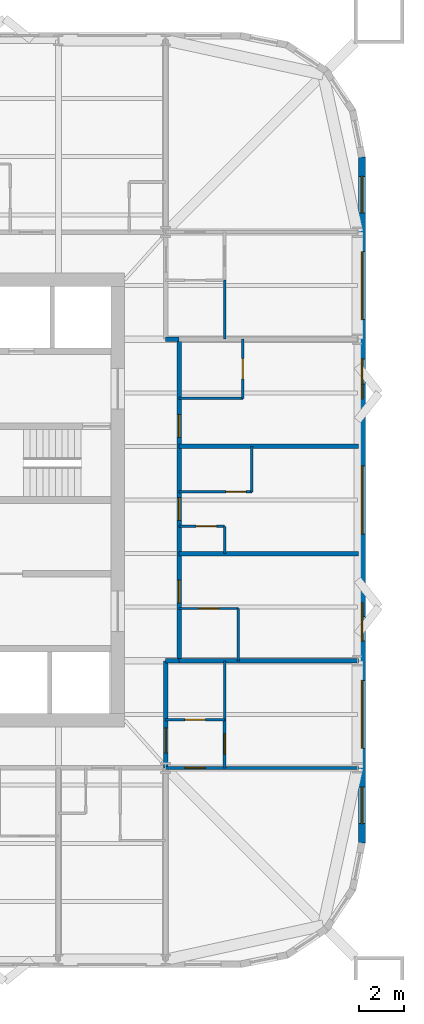
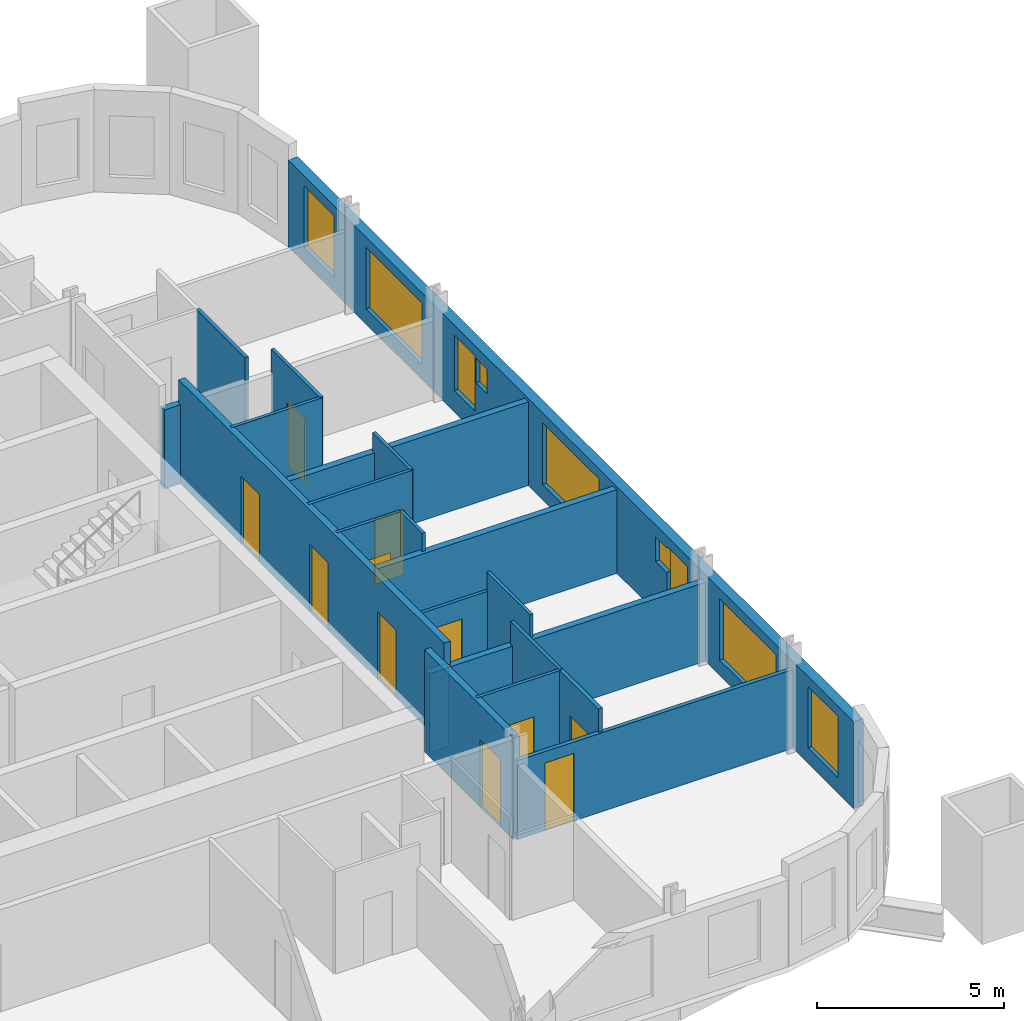
# One storey, part 6 of 9: 21 walls, 11 doors, 9 windows, 20 openings.
"""IFC4 building model written with IfcOpenShell, lengths in metres."""

from ifc_helpers import new_model, si_unit, direction, frame, frame_2d, origin, place, context, subcontext, project, spatial, rectangle, extrude, material, layer, layer_set, type_object, element, fill, save


model = new_model("IFC4")

# Units and contexts
model_context = context("Model", 3, precision=1e-05, world=origin(), true_north=direction((0.0, 1.0)))
body_context = subcontext(model_context, "Body", "Model", "MODEL_VIEW")
ifc_project = project(units=[si_unit("LENGTHUNIT", "METRE"), si_unit("AREAUNIT", "SQUARE_METRE"), si_unit("VOLUMEUNIT", "CUBIC_METRE"), si_unit("PLANEANGLEUNIT", "RADIAN"), si_unit("MASSUNIT", "GRAM", prefix="KILO")], contexts=[model_context])

# Site, building, storey
site_placement = place(None, origin())
site = spatial("IfcSite", under=ifc_project, at=site_placement, CompositionType="ELEMENT")
building_placement = place(site_placement, origin())
building = spatial("IfcBuilding", under=site, at=building_placement, Name="Turquesa Mirador Hotel Tower", CompositionType="ELEMENT")
storey_placement = place(building_placement, frame((0.0, 0.0, 117.89990234375)))
storey = spatial("IfcBuildingStorey", under=building, at=storey_placement, Name="L31", CompositionType="ELEMENT", Elevation=117.89990234375)

# Wall, opening, door
ifc_material_1 = material(Name="Gypsum board on steel studs", Category="steel")
ifc_layer_1 = layer(ifc_material_1, 0.10009765625)
ifc_layer_set_1 = layer_set([ifc_layer_1], Name="BATHROOM WALL 100")
wall_type_1 = type_object("IfcWallType", Name="BATHROOM WALL 100", PredefinedType="PARTITIONING", material=ifc_layer_set_1)
wall_1_placement = place(storey_placement, frame((67.39990234375, 43.840087890625, 0.0), z_axis=(0.0, 0.0, 1.0), x_axis=(1.0, 0.0, 0.0)))
wall_1 = element("IfcWall", 1, at=wall_1_placement, inside=storey, type_object=wall_type_1, Name="Partition L31 001", PredefinedType="PARTITIONING", context=body_context, shape_type="SweptSolid", body=[
    extrude(rectangle(XDim=2.0, YDim=0.10009765625, at=frame_2d((1.0, 0.0))), origin(), (0.0, 0.0, 1.0), 3.330078125),
])
opening_1_placement = place(wall_1_placement, frame((0.75, 0.0, 0.0)))
opening_1 = element("IfcOpeningElement", 2, at=opening_1_placement, cuts=wall_1, Name="Opening D06", PredefinedType="OPENING", context=body_context, shape_type="SweptSolid", body=[
    extrude(rectangle(XDim=0.89990234375, YDim=2.10009765625, at=frame_2d((0.449951171875, 1.050048828125))), frame((0.0, 0.06005859375, 0.0), z_axis=(0.0, -1.0, 0.0), x_axis=(1.0, 0.0, 0.0)), (0.0, 0.0, 1.0), 0.1201171875),
])
ifc_material_2 = material(Name="Laminate door", Category="wood")
door_type_1 = type_object("IfcDoorType", Name="DOOR 900X2100 WC", OperationType="SINGLE_SWING_LEFT", PredefinedType="DOOR", material=ifc_material_2)
door_1_placement = place(opening_1_placement, origin())
door_1 = element("IfcDoor", 3, at=door_1_placement, inside=storey, type_object=door_type_1, Name="Door 3109W", OperationType="SINGLE_SWING_LEFT", OverallHeight=2.10009765625, OverallWidth=0.89990234375, PredefinedType="DOOR", context=body_context, shape_type="SweptSolid", body=[
    extrude(rectangle(XDim=0.89990234375, YDim=2.10009765625, at=frame_2d((0.449951171875, 1.050048828125))), frame((0.0, 0.02490234375, 0.0), z_axis=(0.0, -1.0, 0.0), x_axis=(1.0, 0.0, 0.0)), (0.0, 0.0, 1.0), 0.050048828125),
])
fill(opening_1, door_1)

wall_2_placement = place(storey_placement, frame((67.39990234375, 40.219970703125, 0.0), z_axis=(0.0, 0.0, 1.0), x_axis=(1.0, 0.0, 0.0)))
wall_2 = element("IfcWall", 4, at=wall_2_placement, inside=storey, type_object=wall_type_1, Name="Partition L31 012", PredefinedType="PARTITIONING", context=body_context, shape_type="SweptSolid", body=[
    extrude(rectangle(XDim=2.60009765625, YDim=0.10009765625, at=frame_2d((1.300048828125, 0.0))), origin(), (0.0, 0.0, 1.0), 2.730712890625),
])
opening_2_placement = place(wall_2_placement, frame((0.85009765625, 0.0, 0.0)))
opening_2 = element("IfcOpeningElement", 5, at=opening_2_placement, cuts=wall_2, Name="Opening D02", PredefinedType="OPENING", context=body_context, shape_type="SweptSolid", body=[
    extrude(rectangle(XDim=0.89990234375, YDim=2.10009765625, at=frame_2d((0.449951171875, 1.050048828125))), frame((0.0, 0.06005859375, 0.0), z_axis=(0.0, -1.0, 0.0), x_axis=(1.0, 0.0, 0.0)), (0.0, 0.0, 1.0), 0.1201171875),
])
ifc_material_3 = material(Name="Timber veneered door", Category="wood")
door_type_2 = type_object("IfcDoorType", Name="DOOR 900X2100 EN-SUITE", OperationType="SINGLE_SWING_RIGHT", PredefinedType="DOOR", material=ifc_material_3)
door_2_placement = place(opening_2_placement, origin())
door_2 = element("IfcDoor", 6, at=door_2_placement, inside=storey, type_object=door_type_2, Name="Door 3108B", OperationType="SINGLE_SWING_RIGHT", OverallHeight=2.10009765625, OverallWidth=0.89990234375, PredefinedType="DOOR", context=body_context, shape_type="SweptSolid", body=[
    extrude(rectangle(XDim=0.89990234375, YDim=2.10009765625, at=frame_2d((0.449951171875, 1.050048828125))), frame((0.0, 0.02490234375, 0.0), z_axis=(0.0, -1.0, 0.0), x_axis=(1.0, 0.0, 0.0)), (0.0, 0.0, 1.0), 0.050048828125),
])
fill(opening_2, door_2)

wall_3_placement = place(storey_placement, frame((66.800048828125, 35.320068359375, 0.0), z_axis=(0.0, 0.0, 1.0), x_axis=(1.0, 0.0, 0.0)))
wall_3 = element("IfcWall", 7, at=wall_3_placement, inside=storey, type_object=wall_type_1, Name="Partition L31 018", PredefinedType="PARTITIONING", context=body_context, shape_type="SweptSolid", body=[
    extrude(rectangle(XDim=2.599853515625, YDim=0.10009765625, at=frame_2d((1.2998046875, 0.0))), origin(), (0.0, 0.0, 1.0), 3.330078125),
])
opening_3_placement = place(wall_3_placement, frame((0.85009765625, 0.0, 0.0)))
opening_3 = element("IfcOpeningElement", 8, at=opening_3_placement, cuts=wall_3, Name="Opening D02", PredefinedType="OPENING", context=body_context, shape_type="SweptSolid", body=[
    extrude(rectangle(XDim=0.89990234375, YDim=2.10009765625, at=frame_2d((0.449951171875, 1.050048828125))), frame((0.0, 0.06005859375, 0.0), z_axis=(0.0, -1.0, 0.0), x_axis=(1.0, 0.0, 0.0)), (0.0, 0.0, 1.0), 0.1201171875),
])
door_3_placement = place(opening_3_placement, origin())
door_3 = element("IfcDoor", 9, at=door_3_placement, inside=storey, type_object=door_type_2, Name="Door 3116B", OperationType="SINGLE_SWING_RIGHT", OverallHeight=2.10009765625, OverallWidth=0.89990234375, PredefinedType="DOOR", context=body_context, shape_type="SweptSolid", body=[
    extrude(rectangle(XDim=0.89990234375, YDim=2.10009765625, at=frame_2d((0.449951171875, 1.050048828125))), frame((0.0, 0.02490234375, 0.0), z_axis=(0.0, -1.0, 0.0), x_axis=(1.0, 0.0, 0.0)), (0.0, 0.0, 1.0), 0.050048828125),
])
fill(opening_3, door_3)

wall_4_placement = place(storey_placement, frame((67.39990234375, 45.360107421875, 0.0), z_axis=(0.0, 0.0, 1.0), x_axis=(1.0, 0.0, 0.0)))
wall_4 = element("IfcWall", 10, at=wall_4_placement, inside=storey, type_object=wall_type_1, Name="Partition L31 019", PredefinedType="PARTITIONING", context=body_context, shape_type="SweptSolid", body=[
    extrude(rectangle(XDim=3.2001953125, YDim=0.10009765625, at=frame_2d((1.60009765625, 0.0))), origin(), (0.0, 0.0, 1.0), 3.330078125),
])
opening_4_placement = place(wall_4_placement, frame((2.050048828125, 0.0, 0.0)))
opening_4 = element("IfcOpeningElement", 11, at=opening_4_placement, cuts=wall_4, Name="Opening D02", PredefinedType="OPENING", context=body_context, shape_type="SweptSolid", body=[
    extrude(rectangle(XDim=0.89990234375, YDim=2.10009765625, at=frame_2d((0.449951171875, 1.050048828125))), frame((0.0, 0.06005859375, 0.0), z_axis=(0.0, -1.0, 0.0), x_axis=(1.0, 0.0, 0.0)), (0.0, 0.0, 1.0), 0.1201171875),
])
door_4_placement = place(opening_4_placement, origin())
door_4 = element("IfcDoor", 12, at=door_4_placement, inside=storey, type_object=door_type_2, Name="Door 3109B", OperationType="SINGLE_SWING_RIGHT", OverallHeight=2.10009765625, OverallWidth=0.89990234375, PredefinedType="DOOR", context=body_context, shape_type="SweptSolid", body=[
    extrude(rectangle(XDim=0.89990234375, YDim=2.10009765625, at=frame_2d((0.449951171875, 1.050048828125))), frame((0.0, 0.02490234375, 0.0), z_axis=(0.0, -1.0, 0.0), x_axis=(1.0, 0.0, 0.0)), (0.0, 0.0, 1.0), 0.050048828125),
])
fill(opening_4, door_4)

# Walls
wall_5_placement = place(storey_placement, frame((67.39990234375, 49.47998046875, 0.0), z_axis=(0.0, 0.0, 1.0), x_axis=(1.0, 0.0, 0.0)))
element("IfcWall", 13, at=wall_5_placement, inside=storey, type_object=wall_type_1, Name="Partition L31 033", PredefinedType="PARTITIONING", context=body_context, shape_type="SweptSolid", body=[
    extrude(rectangle(XDim=2.800048828125, YDim=0.10009765625, at=frame_2d((1.39990234375, 0.0))), origin(), (0.0, 0.0, 1.0), 3.330078125),
])
wall_6_placement = place(storey_placement, frame((69.39990234375, 35.320068359375, 0.0), z_axis=(0.0, 0.0, 1.0), x_axis=(0.0, 1.0, 0.0)))
element("IfcWall", 14, at=wall_6_placement, inside=storey, type_object=wall_type_1, Name="Partition L31 070", PredefinedType="PARTITIONING", context=body_context, shape_type="SweptSolid", body=[
    extrude(rectangle(XDim=2.599853515625, YDim=0.10009765625, at=frame_2d((1.2998046875, 0.0))), origin(), (0.0, 0.0, 1.0), 3.330078125),
])
wall_7_placement = place(storey_placement, frame((69.39990234375, 42.639892578125, 0.0), z_axis=(0.0, 0.0, 1.0), x_axis=(0.0, 1.0, 0.0)))
element("IfcWall", 15, at=wall_7_placement, inside=storey, type_object=wall_type_1, Name="Partition L31 071", PredefinedType="PARTITIONING", context=body_context, shape_type="SweptSolid", body=[
    extrude(rectangle(XDim=1.2001953125, YDim=0.10009765625, at=frame_2d((0.60009765625, 0.0))), origin(), (0.0, 0.0, 1.0), 3.330078125),
])
wall_8_placement = place(storey_placement, frame((69.39990234375, 52.080078125, 0.0), z_axis=(0.0, 0.0, 1.0), x_axis=(0.0, 1.0, 0.0)))
element("IfcWall", 16, at=wall_8_placement, inside=storey, type_object=wall_type_1, Name="Partition L31 072", PredefinedType="PARTITIONING", context=body_context, shape_type="SweptSolid", body=[
    extrude(rectangle(XDim=2.599853515625, YDim=0.10009765625, at=frame_2d((1.2998046875, 0.0))), origin(), (0.0, 0.0, 1.0), 3.330078125),
])
wall_9_placement = place(storey_placement, frame((70.0, 37.919921875, 0.0), z_axis=(0.0, 0.0, 1.0), x_axis=(0.0, 1.0, 0.0)))
element("IfcWall", 17, at=wall_9_placement, inside=storey, type_object=wall_type_1, Name="Partition L31 075", PredefinedType="PARTITIONING", context=body_context, shape_type="SweptSolid", body=[
    extrude(rectangle(XDim=2.300048828125, YDim=0.10009765625, at=frame_2d((1.14990234375, 0.0))), origin(), (0.0, 0.0, 1.0), 3.330078125),
])

# Wall, opening, door
wall_10_placement = place(storey_placement, frame((70.199951171875, 49.47998046875, 0.0), z_axis=(0.0, 0.0, 1.0), x_axis=(0.0, 1.0, 0.0)))
wall_10 = element("IfcWall", 18, at=wall_10_placement, inside=storey, type_object=wall_type_1, Name="Partition L31 076", PredefinedType="PARTITIONING", context=body_context, shape_type="SweptSolid", body=[
    extrude(rectangle(XDim=2.60009765625, YDim=0.10009765625, at=frame_2d((1.300048828125, 0.0))), origin(), (0.0, 0.0, 1.0), 3.330078125),
])
opening_5_placement = place(wall_10_placement, frame((0.85009765625, 0.0, 0.0)))
opening_5 = element("IfcOpeningElement", 19, at=opening_5_placement, cuts=wall_10, Name="Opening D02", PredefinedType="OPENING", context=body_context, shape_type="SweptSolid", body=[
    extrude(rectangle(XDim=0.89990234375, YDim=2.10009765625, at=frame_2d((0.449951171875, 1.050048828125))), frame((0.0, 0.06005859375, 0.0), z_axis=(0.0, -1.0, 0.0), x_axis=(1.0, 0.0, 0.0)), (0.0, 0.0, 1.0), 0.1201171875),
])
door_5_placement = place(opening_5_placement, origin())
door_5 = element("IfcDoor", 20, at=door_5_placement, inside=storey, type_object=door_type_2, Name="Door 3110B", OperationType="SINGLE_SWING_RIGHT", OverallHeight=2.10009765625, OverallWidth=0.89990234375, PredefinedType="DOOR", context=body_context, shape_type="SweptSolid", body=[
    extrude(rectangle(XDim=0.89990234375, YDim=2.10009765625, at=frame_2d((0.449951171875, 1.050048828125))), frame((0.0, 0.02490234375, 0.0), z_axis=(0.0, -1.0, 0.0), x_axis=(1.0, 0.0, 0.0)), (0.0, 0.0, 1.0), 0.050048828125),
])
fill(opening_5, door_5)

# Walls
wall_11_placement = place(storey_placement, frame((70.60009765625, 45.360107421875, 0.0), z_axis=(0.0, 0.0, 1.0), x_axis=(0.0, 1.0, 0.0)))
element("IfcWall", 21, at=wall_11_placement, inside=storey, type_object=wall_type_1, Name="Partition L31 077", PredefinedType="PARTITIONING", context=body_context, shape_type="SweptSolid", body=[
    extrude(rectangle(XDim=2.0, YDim=0.10009765625, at=frame_2d((1.0, 0.0))), origin(), (0.0, 0.0, 1.0), 3.330078125),
])
ifc_material_4 = material(Name="Fire-rated gypsum board on steel studs", Category="steel")
ifc_layer_2 = layer(ifc_material_4, 0.199951171875)
ifc_layer_set_2 = layer_set([ifc_layer_2], Name="CORRIDOR WALL 200")
wall_type_2 = type_object("IfcWallType", Name="CORRIDOR WALL 200", PredefinedType="PARTITIONING", material=ifc_layer_set_2)
for number, where, z_axis, x_axis, name in (
    (22, (66.800048828125, 37.919921875, 0.0), (0.0, 0.0, 1.0), (1.0, 0.0, 0.0), "Partition L31 014"),
    (23, (66.800048828125, 52.080078125, 0.0), (0.0, 0.0, 1.0), (1.0, 0.0, 0.0), "Partition L31 036"),
):
    element("IfcWall", number, at=place(storey_placement, frame(where, z_axis=z_axis, x_axis=x_axis)), inside=storey, type_object=wall_type_2, Name=name, PredefinedType="PARTITIONING", context=body_context, shape_type="SweptSolid", body=[
        extrude(rectangle(XDim=0.599853515625, YDim=0.199951171875, at=frame_2d((0.2998046875, 0.0))), origin(), (0.0, 0.0, 1.0), 2.5732421875),
    ])

# Wall, opening, door
wall_12_placement = place(storey_placement, frame((66.800048828125, 33.199951171875, 0.0), z_axis=(0.0, 0.0, 1.0), x_axis=(0.0, 1.0, 0.0)))
wall_12 = element("IfcWall", 24, at=wall_12_placement, inside=storey, type_object=wall_type_2, Name="Partition L31 065", PredefinedType="PARTITIONING", context=body_context, shape_type="SweptSolid", body=[
    extrude(rectangle(XDim=4.719970703125, YDim=0.199951171875, at=frame_2d((2.35986328125, 0.0))), origin(), (0.0, 0.0, 1.0), 3.330078125),
])
opening_6_placement = place(wall_12_placement, frame((0.659912109375, 0.0, 0.0)))
opening_6 = element("IfcOpeningElement", 25, at=opening_6_placement, cuts=wall_12, Name="Opening D15", PredefinedType="OPENING", context=body_context, shape_type="SweptSolid", body=[
    extrude(rectangle(XDim=1.10009765625, YDim=2.199951171875, at=frame_2d((0.550048828125, 1.10009765625))), frame((0.0, 0.10986328125, 0.0), z_axis=(0.0, -1.0, 0.0), x_axis=(1.0, 0.0, 0.0)), (0.0, 0.0, 1.0), 0.219970703125),
])
ifc_material_5 = material(Name="Timber veneered fire door", Category="wood")
door_type_3 = type_object("IfcDoorType", Name="DOOR 1100X2200 SUITE ENTRY", OperationType="SINGLE_SWING_LEFT", PredefinedType="DOOR", material=ifc_material_5)
door_6_placement = place(opening_6_placement, origin())
door_6 = element("IfcDoor", 26, at=door_6_placement, inside=storey, type_object=door_type_3, Name="Door 3116H", OperationType="SINGLE_SWING_LEFT", OverallHeight=2.199951171875, OverallWidth=1.10009765625, PredefinedType="DOOR", context=body_context, shape_type="SweptSolid", body=[
    extrude(rectangle(XDim=1.10009765625, YDim=2.199951171875, at=frame_2d((0.550048828125, 1.10009765625))), frame((0.0, 0.02490234375, 0.0), z_axis=(0.0, -1.0, 0.0), x_axis=(1.0, 0.0, 0.0)), (0.0, 0.0, 1.0), 0.050048828125),
])
fill(opening_6, door_6)

# Wall, openings, doors
wall_13_placement = place(storey_placement, frame((67.39990234375, 37.919921875, 0.0), z_axis=(0.0, 0.0, 1.0), x_axis=(0.0, 1.0, 0.0)))
wall_13 = element("IfcWall", 27, at=wall_13_placement, inside=storey, type_object=wall_type_2, Name="Partition L31 069", PredefinedType="PARTITIONING", context=body_context, shape_type="SweptSolid", body=[
    extrude(rectangle(XDim=14.16015625, YDim=0.199951171875, at=frame_2d((7.080078125, 0.0))), origin(), (0.0, 0.0, 1.0), 3.330078125),
])
opening_7_placement = place(wall_13_placement, frame((2.550048828125, 0.0, 0.0)))
opening_7 = element("IfcOpeningElement", 28, at=opening_7_placement, cuts=wall_13, Name="Opening D01", PredefinedType="OPENING", context=body_context, shape_type="SweptSolid", body=[
    extrude(rectangle(XDim=1.0, YDim=2.199951171875, at=frame_2d((0.5, 1.10009765625))), frame((0.0, 0.10986328125, 0.0), z_axis=(0.0, -1.0, 0.0), x_axis=(1.0, 0.0, 0.0)), (0.0, 0.0, 1.0), 0.219970703125),
])
opening_8_placement = place(wall_13_placement, frame((6.179931640625, 0.0, 0.0)))
opening_8 = element("IfcOpeningElement", 29, at=opening_8_placement, cuts=wall_13, Name="Opening D01", PredefinedType="OPENING", context=body_context, shape_type="SweptSolid", body=[
    extrude(rectangle(XDim=1.0, YDim=2.199951171875, at=frame_2d((0.5, 1.10009765625))), frame((0.0, 0.10986328125, 0.0), z_axis=(0.0, -1.0, 0.0), x_axis=(1.0, 0.0, 0.0)), (0.0, 0.0, 1.0), 0.219970703125),
])
opening_9_placement = place(wall_13_placement, frame((9.840087890625, 0.0, 0.0)))
opening_9 = element("IfcOpeningElement", 30, at=opening_9_placement, cuts=wall_13, Name="Opening D01", PredefinedType="OPENING", context=body_context, shape_type="SweptSolid", body=[
    extrude(rectangle(XDim=1.0, YDim=2.199951171875, at=frame_2d((0.5, 1.10009765625))), frame((0.0, 0.10986328125, 0.0), z_axis=(0.0, -1.0, 0.0), x_axis=(1.0, 0.0, 0.0)), (0.0, 0.0, 1.0), 0.219970703125),
])
ifc_material_6 = material(Name="Timber veneered fire door", Category="wood")
door_type_4 = type_object("IfcDoorType", Name="DOOR 1000X2200 GUEST ENTRY", OperationType="SINGLE_SWING_LEFT", PredefinedType="DOOR", material=ifc_material_6)
door_7_placement = place(opening_7_placement, origin())
door_7 = element("IfcDoor", 31, at=door_7_placement, inside=storey, type_object=door_type_4, Name="Door 3108", OperationType="SINGLE_SWING_LEFT", OverallHeight=2.199951171875, OverallWidth=1.0, PredefinedType="DOOR", context=body_context, shape_type="SweptSolid", body=[
    extrude(rectangle(XDim=1.0, YDim=2.199951171875, at=frame_2d((0.5, 1.10009765625))), frame((0.0, 0.02490234375, 0.0), z_axis=(0.0, -1.0, 0.0), x_axis=(1.0, 0.0, 0.0)), (0.0, 0.0, 1.0), 0.050048828125),
])
fill(opening_7, door_7)
door_8_placement = place(opening_8_placement, origin())
door_8 = element("IfcDoor", 32, at=door_8_placement, inside=storey, type_object=door_type_4, Name="Door 3109", OperationType="SINGLE_SWING_LEFT", OverallHeight=2.199951171875, OverallWidth=1.0, PredefinedType="DOOR", context=body_context, shape_type="SweptSolid", body=[
    extrude(rectangle(XDim=1.0, YDim=2.199951171875, at=frame_2d((0.5, 1.10009765625))), frame((0.0, 0.02490234375, 0.0), z_axis=(0.0, -1.0, 0.0), x_axis=(1.0, 0.0, 0.0)), (0.0, 0.0, 1.0), 0.050048828125),
])
fill(opening_8, door_8)
door_9_placement = place(opening_9_placement, origin())
door_9 = element("IfcDoor", 33, at=door_9_placement, inside=storey, type_object=door_type_4, Name="Door 3110", OperationType="SINGLE_SWING_LEFT", OverallHeight=2.199951171875, OverallWidth=1.0, PredefinedType="DOOR", context=body_context, shape_type="SweptSolid", body=[
    extrude(rectangle(XDim=1.0, YDim=2.199951171875, at=frame_2d((0.5, 1.10009765625))), frame((0.0, 0.02490234375, 0.0), z_axis=(0.0, -1.0, 0.0), x_axis=(1.0, 0.0, 0.0)), (0.0, 0.0, 1.0), 0.050048828125),
])
fill(opening_9, door_9)

# Wall, openings, windows
ifc_material_7 = material(Name="Limestone cladding on concrete block", Category="masonry")
ifc_layer_3 = layer(ifc_material_7, 0.300048828125)
ifc_layer_set_3 = layer_set([ifc_layer_3], Name="FACADE WALL 300 STONE SCREEN")
wall_type_3 = type_object("IfcWallType", Name="FACADE WALL 300 STONE SCREEN", PredefinedType="SOLIDWALL", material=ifc_layer_set_3)
wall_14_placement = place(storey_placement, frame((75.449951171875, 29.89990234375, 0.0), z_axis=(0.0, 0.0, 1.0), x_axis=(0.0, 1.0, 0.0)))
wall_14 = element("IfcWall", 34, at=wall_14_placement, inside=storey, type_object=wall_type_3, Name="Facade wall L31 04", PredefinedType="SOLIDWALL", context=body_context, shape_type="SweptSolid", body=[
    extrude(rectangle(XDim=30.2001953125, YDim=0.300048828125, at=frame_2d((15.10009765625, 0.0))), origin(), (0.0, 0.0, 1.0), 2.830078125),
])
opening_10_placement = place(wall_14_placement, frame((0.85009765625, 0.0, 0.5)))
opening_10 = element("IfcOpeningElement", 35, at=opening_10_placement, cuts=wall_14, Name="Opening WN3", PredefinedType="OPENING", context=body_context, shape_type="SweptSolid", body=[
    extrude(rectangle(XDim=1.60009765625, YDim=2.0, at=frame_2d((0.800048828125, 1.0))), frame((0.0, 0.159912109375, 0.0), z_axis=(0.0, -1.0, 0.0), x_axis=(1.0, 0.0, 0.0)), (0.0, 0.0, 1.0), 0.320068359375),
])
opening_11_placement = place(wall_14_placement, frame((4.159912109375, 0.0, 0.5)))
opening_11 = element("IfcOpeningElement", 36, at=opening_11_placement, cuts=wall_14, Name="Opening WN1", PredefinedType="OPENING", context=body_context, shape_type="SweptSolid", body=[
    extrude(rectangle(XDim=3.0, YDim=2.0, at=frame_2d((1.5, 1.0))), frame((0.0, 0.159912109375, 0.0), z_axis=(0.0, -1.0, 0.0), x_axis=(1.0, 0.0, 0.0)), (0.0, 0.0, 1.0), 0.320068359375),
])
opening_12_placement = place(wall_14_placement, frame((8.8798828125, 0.0, 0.699951171875)))
opening_12 = element("IfcOpeningElement", 37, at=opening_12_placement, cuts=wall_14, Name="Opening WN38", PredefinedType="OPENING", context=body_context, shape_type="SweptSolid", body=[
    extrude(rectangle(XDim=1.10009765625, YDim=1.800048828125, at=frame_2d((0.550048828125, 0.89990234375))), frame((0.0, 0.159912109375, 0.0), z_axis=(0.0, -1.0, 0.0), x_axis=(1.0, 0.0, 0.0)), (0.0, 0.0, 1.0), 0.320068359375),
])
opening_13_placement = place(wall_14_placement, frame((13.60009765625, 0.0, 0.5)))
opening_13 = element("IfcOpeningElement", 38, at=opening_13_placement, cuts=wall_14, Name="Opening WN1", PredefinedType="OPENING", context=body_context, shape_type="SweptSolid", body=[
    extrude(rectangle(XDim=3.0, YDim=2.0, at=frame_2d((1.5, 1.0))), frame((0.0, 0.159912109375, 0.0), z_axis=(0.0, -1.0, 0.0), x_axis=(1.0, 0.0, 0.0)), (0.0, 0.0, 1.0), 0.320068359375),
])
opening_14_placement = place(wall_14_placement, frame((20.219970703125, 0.0, 0.699951171875)))
opening_14 = element("IfcOpeningElement", 39, at=opening_14_placement, cuts=wall_14, Name="Opening WN38", PredefinedType="OPENING", context=body_context, shape_type="SweptSolid", body=[
    extrude(rectangle(XDim=1.10009765625, YDim=1.800048828125, at=frame_2d((0.550048828125, 0.89990234375))), frame((0.0, 0.159912109375, 0.0), z_axis=(0.0, -1.0, 0.0), x_axis=(1.0, 0.0, 0.0)), (0.0, 0.0, 1.0), 0.320068359375),
])
opening_15_placement = place(wall_14_placement, frame((23.0400390625, 0.0, 0.5)))
opening_15 = element("IfcOpeningElement", 40, at=opening_15_placement, cuts=wall_14, Name="Opening WN1", PredefinedType="OPENING", context=body_context, shape_type="SweptSolid", body=[
    extrude(rectangle(XDim=3.0, YDim=2.0, at=frame_2d((1.5, 1.0))), frame((0.0, 0.159912109375, 0.0), z_axis=(0.0, -1.0, 0.0), x_axis=(1.0, 0.0, 0.0)), (0.0, 0.0, 1.0), 0.320068359375),
])
opening_16_placement = place(wall_14_placement, frame((27.75, 0.0, 0.5)))
opening_16 = element("IfcOpeningElement", 41, at=opening_16_placement, cuts=wall_14, Name="Opening WN3", PredefinedType="OPENING", context=body_context, shape_type="SweptSolid", body=[
    extrude(rectangle(XDim=1.60009765625, YDim=2.0, at=frame_2d((0.800048828125, 1.0))), frame((0.0, 0.159912109375, 0.0), z_axis=(0.0, -1.0, 0.0), x_axis=(1.0, 0.0, 0.0)), (0.0, 0.0, 1.0), 0.320068359375),
])
opening_17_placement = place(wall_14_placement, frame((9.97998046875, 0.0, 1.64990234375)))
opening_17 = element("IfcOpeningElement", 42, at=opening_17_placement, cuts=wall_14, Name="Opening WN28", PredefinedType="OPENING", context=body_context, shape_type="SweptSolid", body=[
    extrude(rectangle(XDim=0.60009765625, YDim=0.800048828125, at=frame_2d((0.300048828125, 0.39990234375))), frame((0.0, 0.159912109375, 0.0), z_axis=(0.0, -1.0, 0.0), x_axis=(1.0, 0.0, 0.0)), (0.0, 0.0, 1.0), 0.320068359375),
])
opening_18_placement = place(wall_14_placement, frame((19.570068359375, 0.0, 1.64990234375)))
opening_18 = element("IfcOpeningElement", 43, at=opening_18_placement, cuts=wall_14, Name="Opening WN28", PredefinedType="OPENING", context=body_context, shape_type="SweptSolid", body=[
    extrude(rectangle(XDim=0.60009765625, YDim=0.800048828125, at=frame_2d((0.300048828125, 0.39990234375))), frame((0.0, 0.159912109375, 0.0), z_axis=(0.0, -1.0, 0.0), x_axis=(1.0, 0.0, 0.0)), (0.0, 0.0, 1.0), 0.320068359375),
])
ifc_material_8 = material(Name="Ceramic-fritted laminated glass", Category="glass")
window_type_1 = type_object("IfcWindowType", Name="FRITTED WINDOW 1100X1800", PartitioningType="DOUBLE_PANEL_HORIZONTAL", PredefinedType="WINDOW", material=ifc_material_8)
window_1_placement = place(opening_12_placement, origin())
window_1 = element("IfcWindow", 44, at=window_1_placement, inside=storey, type_object=window_type_1, Name="Window L31", OverallHeight=1.800048828125, OverallWidth=1.10009765625, PartitioningType="SINGLE_PANEL", PredefinedType="WINDOW", context=body_context, shape_type="SweptSolid", body=[
    extrude(rectangle(XDim=1.10009765625, YDim=1.800048828125, at=frame_2d((0.550048828125, 0.89990234375))), frame((0.0, 0.030029296875, 0.0), z_axis=(0.0, -1.0, 0.0), x_axis=(1.0, 0.0, 0.0)), (0.0, 0.0, 1.0), 0.06005859375),
])
fill(opening_12, window_1)
window_2_placement = place(opening_14_placement, origin())
window_2 = element("IfcWindow", 45, at=window_2_placement, inside=storey, type_object=window_type_1, Name="Window L31", OverallHeight=1.800048828125, OverallWidth=1.10009765625, PartitioningType="SINGLE_PANEL", PredefinedType="WINDOW", context=body_context, shape_type="SweptSolid", body=[
    extrude(rectangle(XDim=1.10009765625, YDim=1.800048828125, at=frame_2d((0.550048828125, 0.89990234375))), frame((0.0, 0.030029296875, 0.0), z_axis=(0.0, -1.0, 0.0), x_axis=(1.0, 0.0, 0.0)), (0.0, 0.0, 1.0), 0.06005859375),
])
fill(opening_14, window_2)
ifc_material_9 = material(Name="Ceramic-fritted laminated glass", Category="glass")
window_type_2 = type_object("IfcWindowType", Name="FRITTED WINDOW 1600X2000", PartitioningType="DOUBLE_PANEL_HORIZONTAL", PredefinedType="WINDOW", material=ifc_material_9)
window_3_placement = place(opening_10_placement, origin())
window_3 = element("IfcWindow", 46, at=window_3_placement, inside=storey, type_object=window_type_2, Name="Window L31", OverallHeight=2.0, OverallWidth=1.60009765625, PartitioningType="SINGLE_PANEL", PredefinedType="WINDOW", context=body_context, shape_type="SweptSolid", body=[
    extrude(rectangle(XDim=1.60009765625, YDim=2.0, at=frame_2d((0.800048828125, 1.0))), frame((0.0, 0.030029296875, 0.0), z_axis=(0.0, -1.0, 0.0), x_axis=(1.0, 0.0, 0.0)), (0.0, 0.0, 1.0), 0.06005859375),
])
fill(opening_10, window_3)
window_4_placement = place(opening_16_placement, origin())
window_4 = element("IfcWindow", 47, at=window_4_placement, inside=storey, type_object=window_type_2, Name="Window L31", OverallHeight=2.0, OverallWidth=1.60009765625, PartitioningType="SINGLE_PANEL", PredefinedType="WINDOW", context=body_context, shape_type="SweptSolid", body=[
    extrude(rectangle(XDim=1.60009765625, YDim=2.0, at=frame_2d((0.800048828125, 1.0))), frame((0.0, 0.030029296875, 0.0), z_axis=(0.0, -1.0, 0.0), x_axis=(1.0, 0.0, 0.0)), (0.0, 0.0, 1.0), 0.06005859375),
])
fill(opening_16, window_4)
ifc_material_10 = material(Name="Ceramic-fritted laminated glass", Category="glass")
window_type_3 = type_object("IfcWindowType", Name="FRITTED WINDOW 3000X2000", PartitioningType="DOUBLE_PANEL_HORIZONTAL", PredefinedType="WINDOW", material=ifc_material_10)
window_5_placement = place(opening_11_placement, origin())
window_5 = element("IfcWindow", 48, at=window_5_placement, inside=storey, type_object=window_type_3, Name="Window L31", OverallHeight=2.0, OverallWidth=3.0, PartitioningType="SINGLE_PANEL", PredefinedType="WINDOW", context=body_context, shape_type="SweptSolid", body=[
    extrude(rectangle(XDim=3.0, YDim=2.0, at=frame_2d((1.5, 1.0))), frame((0.0, 0.030029296875, 0.0), z_axis=(0.0, -1.0, 0.0), x_axis=(1.0, 0.0, 0.0)), (0.0, 0.0, 1.0), 0.06005859375),
])
fill(opening_11, window_5)
window_6_placement = place(opening_13_placement, origin())
window_6 = element("IfcWindow", 49, at=window_6_placement, inside=storey, type_object=window_type_3, Name="Window L31", OverallHeight=2.0, OverallWidth=3.0, PartitioningType="SINGLE_PANEL", PredefinedType="WINDOW", context=body_context, shape_type="SweptSolid", body=[
    extrude(rectangle(XDim=3.0, YDim=2.0, at=frame_2d((1.5, 1.0))), frame((0.0, 0.030029296875, 0.0), z_axis=(0.0, -1.0, 0.0), x_axis=(1.0, 0.0, 0.0)), (0.0, 0.0, 1.0), 0.06005859375),
])
fill(opening_13, window_6)
window_7_placement = place(opening_15_placement, origin())
window_7 = element("IfcWindow", 50, at=window_7_placement, inside=storey, type_object=window_type_3, Name="Window L31", OverallHeight=2.0, OverallWidth=3.0, PartitioningType="SINGLE_PANEL", PredefinedType="WINDOW", context=body_context, shape_type="SweptSolid", body=[
    extrude(rectangle(XDim=3.0, YDim=2.0, at=frame_2d((1.5, 1.0))), frame((0.0, 0.030029296875, 0.0), z_axis=(0.0, -1.0, 0.0), x_axis=(1.0, 0.0, 0.0)), (0.0, 0.0, 1.0), 0.06005859375),
])
fill(opening_15, window_7)
ifc_material_11 = material(Name="Ceramic-fritted laminated glass", Category="glass")
window_type_4 = type_object("IfcWindowType", Name="FRITTED WINDOW 600X800", PartitioningType="DOUBLE_PANEL_HORIZONTAL", PredefinedType="WINDOW", material=ifc_material_11)
window_8_placement = place(opening_17_placement, origin())
window_8 = element("IfcWindow", 51, at=window_8_placement, inside=storey, type_object=window_type_4, Name="Window L31", OverallHeight=0.800048828125, OverallWidth=0.60009765625, PartitioningType="SINGLE_PANEL", PredefinedType="WINDOW", context=body_context, shape_type="SweptSolid", body=[
    extrude(rectangle(XDim=0.60009765625, YDim=0.800048828125, at=frame_2d((0.300048828125, 0.39990234375))), frame((0.0, 0.030029296875, 0.0), z_axis=(0.0, -1.0, 0.0), x_axis=(1.0, 0.0, 0.0)), (0.0, 0.0, 1.0), 0.06005859375),
])
fill(opening_17, window_8)
window_9_placement = place(opening_18_placement, origin())
window_9 = element("IfcWindow", 52, at=window_9_placement, inside=storey, type_object=window_type_4, Name="Window L31", OverallHeight=0.800048828125, OverallWidth=0.60009765625, PartitioningType="SINGLE_PANEL", PredefinedType="WINDOW", context=body_context, shape_type="SweptSolid", body=[
    extrude(rectangle(XDim=0.60009765625, YDim=0.800048828125, at=frame_2d((0.300048828125, 0.39990234375))), frame((0.0, 0.030029296875, 0.0), z_axis=(0.0, -1.0, 0.0), x_axis=(1.0, 0.0, 0.0)), (0.0, 0.0, 1.0), 0.06005859375),
])
fill(opening_18, window_9)

# Walls
ifc_material_12 = material(Name="Fire-rated gypsum board on steel studs", Category="steel")
ifc_layer_4 = layer(ifc_material_12, 0.199951171875)
ifc_layer_set_4 = layer_set([ifc_layer_4], Name="PARTY WALL 200")
wall_type_4 = type_object("IfcWallType", Name="PARTY WALL 200", PredefinedType="PARTITIONING", material=ifc_layer_set_4)
wall_15_placement = place(storey_placement, frame((67.39990234375, 42.639892578125, 0.0), z_axis=(0.0, 0.0, 1.0), x_axis=(1.0, 0.0, 0.0)))
element("IfcWall", 53, at=wall_15_placement, inside=storey, type_object=wall_type_4, Name="Partition L31 010", PredefinedType="PARTITIONING", context=body_context, shape_type="SweptSolid", body=[
    extrude(rectangle(XDim=7.900146484375, YDim=0.199951171875, at=frame_2d((3.9501953125, 0.0))), origin(), (0.0, 0.0, 1.0), 2.730712890625),
])
wall_16_placement = place(storey_placement, frame((67.39990234375, 37.919921875, 0.0), z_axis=(0.0, 0.0, 1.0), x_axis=(1.0, 0.0, 0.0)))
element("IfcWall", 54, at=wall_16_placement, inside=storey, type_object=wall_type_4, Name="Partition L31 016", PredefinedType="PARTITIONING", context=body_context, shape_type="SweptSolid", body=[
    extrude(rectangle(XDim=7.900146484375, YDim=0.199951171875, at=frame_2d((3.9501953125, 0.0))), origin(), (0.0, 0.0, 1.0), 2.5732421875),
])
wall_17_placement = place(storey_placement, frame((67.39990234375, 47.360107421875, 0.0), z_axis=(0.0, 0.0, 1.0), x_axis=(1.0, 0.0, 0.0)))
element("IfcWall", 55, at=wall_17_placement, inside=storey, type_object=wall_type_4, Name="Partition L31 032", PredefinedType="PARTITIONING", context=body_context, shape_type="SweptSolid", body=[
    extrude(rectangle(XDim=7.900146484375, YDim=0.199951171875, at=frame_2d((3.9501953125, 0.0))), origin(), (0.0, 0.0, 1.0), 2.730712890625),
])

# Wall, opening, door
ifc_material_13 = material(Name="Acoustic gypsum board on steel studs", Category="steel")
ifc_layer_5 = layer(ifc_material_13, 0.125)
ifc_layer_set_5 = layer_set([ifc_layer_5], Name="SUITE PARTITION 125")
wall_type_5 = type_object("IfcWallType", Name="SUITE PARTITION 125", PredefinedType="PARTITIONING", material=ifc_layer_set_5)
wall_18_placement = place(storey_placement, frame((66.800048828125, 33.199951171875, 0.0), z_axis=(0.0, 0.0, 1.0), x_axis=(1.0, 0.0, 0.0)))
wall_18 = element("IfcWall", 56, at=wall_18_placement, inside=storey, type_object=wall_type_5, Name="Partition L31 004", PredefinedType="PARTITIONING", context=body_context, shape_type="SweptSolid", body=[
    extrude(rectangle(XDim=8.5, YDim=0.125, at=frame_2d((4.25, 0.0))), origin(), (0.0, 0.0, 1.0), 2.5732421875),
])
opening_19_placement = place(wall_18_placement, frame((0.85009765625, 0.0, 0.0)))
opening_19 = element("IfcOpeningElement", 57, at=opening_19_placement, cuts=wall_18, Name="Opening D17", PredefinedType="OPENING", context=body_context, shape_type="SweptSolid", body=[
    extrude(rectangle(XDim=0.89990234375, YDim=2.199951171875, at=frame_2d((0.449951171875, 1.10009765625))), frame((0.0, 0.072509765625, 0.0), z_axis=(0.0, -1.0, 0.0), x_axis=(1.0, 0.0, 0.0)), (0.0, 0.0, 1.0), 0.14501953125),
])
ifc_material_14 = material(Name="Timber veneered door", Category="wood")
door_type_5 = type_object("IfcDoorType", Name="DOOR 900X2200 SUITE INTERNAL", OperationType="SINGLE_SWING_LEFT", PredefinedType="DOOR", material=ifc_material_14)
door_10_placement = place(opening_19_placement, origin())
door_10 = element("IfcDoor", 58, at=door_10_placement, inside=storey, type_object=door_type_5, Name="Door 3116", OperationType="SINGLE_SWING_LEFT", OverallHeight=2.199951171875, OverallWidth=0.89990234375, PredefinedType="DOOR", context=body_context, shape_type="SweptSolid", body=[
    extrude(rectangle(XDim=0.89990234375, YDim=2.199951171875, at=frame_2d((0.449951171875, 1.10009765625))), frame((0.0, 0.02490234375, 0.0), z_axis=(0.0, -1.0, 0.0), x_axis=(1.0, 0.0, 0.0)), (0.0, 0.0, 1.0), 0.050048828125),
])
fill(opening_19, door_10)

wall_19_placement = place(storey_placement, frame((69.39990234375, 33.199951171875, 0.0), z_axis=(0.0, 0.0, 1.0), x_axis=(0.0, 1.0, 0.0)))
wall_19 = element("IfcWall", 59, at=wall_19_placement, inside=storey, type_object=wall_type_5, Name="Partition L31 073", PredefinedType="PARTITIONING", context=body_context, shape_type="SweptSolid", body=[
    extrude(rectangle(XDim=2.1201171875, YDim=0.125, at=frame_2d((1.06005859375, 0.0))), origin(), (0.0, 0.0, 1.0), 3.330078125),
])
opening_20_placement = place(wall_19_placement, frame((0.610107421875, 0.0, 0.0)))
opening_20 = element("IfcOpeningElement", 60, at=opening_20_placement, cuts=wall_19, Name="Opening D17", PredefinedType="OPENING", context=body_context, shape_type="SweptSolid", body=[
    extrude(rectangle(XDim=0.89990234375, YDim=2.199951171875, at=frame_2d((0.449951171875, 1.10009765625))), frame((0.0, 0.072509765625, 0.0), z_axis=(0.0, -1.0, 0.0), x_axis=(1.0, 0.0, 0.0)), (0.0, 0.0, 1.0), 0.14501953125),
])
door_11_placement = place(opening_20_placement, origin())
door_11 = element("IfcDoor", 61, at=door_11_placement, inside=storey, type_object=door_type_5, Name="Door 3116R", OperationType="SINGLE_SWING_LEFT", OverallHeight=2.199951171875, OverallWidth=0.89990234375, PredefinedType="DOOR", context=body_context, shape_type="SweptSolid", body=[
    extrude(rectangle(XDim=0.89990234375, YDim=2.199951171875, at=frame_2d((0.449951171875, 1.10009765625))), frame((0.0, 0.02490234375, 0.0), z_axis=(0.0, -1.0, 0.0), x_axis=(1.0, 0.0, 0.0)), (0.0, 0.0, 1.0), 0.050048828125),
])
fill(opening_20, door_11)

save(model, "model.ifc")
